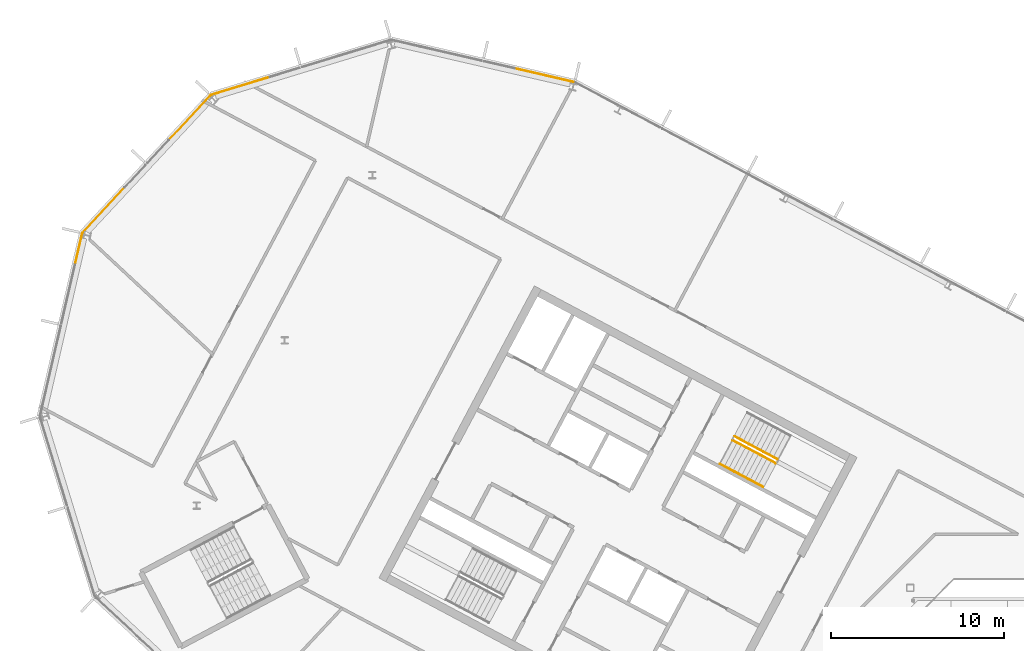
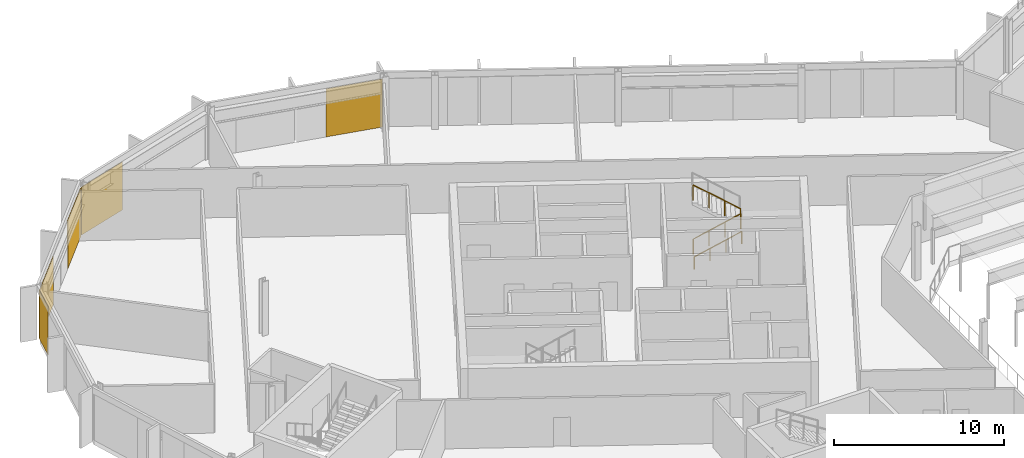
# One storey, part 32 of 35: 5 coverings, 3 railings, 4 elements without a shape of their own.
"""IFC4 building model written with IfcOpenShell, lengths in metres."""

from ifc_helpers import new_model, si_unit, direction, frame, origin, origin_2d, place, context, subcontext, project, spatial, polyline, rectangle, outline, extrude, material, layer, layer_set, type_object, element, aggregate, save


model = new_model("IFC4")

# Units and contexts
model_context = context("Model", 3, precision=1e-05, world=origin(), true_north=direction((0.0, 1.0)))
body_context = subcontext(model_context, "Body", "Model", "MODEL_VIEW")
ifc_project = project(units=[si_unit("LENGTHUNIT", "METRE"), si_unit("AREAUNIT", "SQUARE_METRE"), si_unit("VOLUMEUNIT", "CUBIC_METRE"), si_unit("PLANEANGLEUNIT", "RADIAN"), si_unit("MASSUNIT", "GRAM", prefix="KILO")], contexts=[model_context])

# Site, building, storey
site_placement = place(None, origin())
site = spatial("IfcSite", under=ifc_project, at=site_placement, CompositionType="ELEMENT")
building_placement = place(site_placement, origin())
building = spatial("IfcBuilding", under=site, at=building_placement, Name="Cormorant Relay Tower", CompositionType="ELEMENT")
storey_placement = place(building_placement, frame((0.0, 0.0, 324.300048828125)))
storey = spatial("IfcBuildingStorey", under=building, at=storey_placement, Name="L74", CompositionType="ELEMENT", Elevation=324.300048828125)

# Curtain wall, covering
ifc_material_1 = material(Name="Aluminium 6063-T6 anodised bronze", Category="aluminium")
ifc_layer_1 = layer(ifc_material_1, 0.199951171875)
ifc_layer_set_1 = layer_set([ifc_layer_1], Name="CW1 unitised bronze curtain wall with vertical fins")
curtain_wall_type = type_object("IfcCurtainWallType", Name="CW1 unitised bronze curtain wall with vertical fins", PredefinedType="NOTDEFINED", material=ifc_layer_set_1)
curtain_wall_1_placement = place(storey_placement, origin())
curtain_wall_1 = element("IfcCurtainWall", 1, at=curtain_wall_1_placement, inside=storey, type_object=curtain_wall_type, Name="CW1 curtain wall 10", PredefinedType="NOTDEFINED")
ifc_material_2 = material(Name="Pale bronze anodised aluminium insulated panel", Category="aluminium")
ifc_layer_2 = layer(ifc_material_2, 0.0400390625)
ifc_layer_set_2 = layer_set([ifc_layer_2], Name="CW1 pale bronze insulated panel 40")
covering_type = type_object("IfcCoveringType", Name="CW1 pale bronze insulated panel 40", PredefinedType="CLADDING", material=ifc_layer_set_2)
covering_1_placement = place(storey_placement, frame((-31.640380859375, 40.096435546875, 0.0), z_axis=(0.0, 0.0, 1.0), x_axis=(-0.974370064785, 0.224951054344, 0.0)))
covering_1 = element("IfcCovering", 2, at=covering_1_placement, type_object=covering_type, Name="CW1 panel S00", PredefinedType="CLADDING", context=body_context, shape_type="SweptSolid", body=[
    extrude(rectangle(XDim=3.485107421875, YDim=0.0400390625, at=origin_2d()), origin(), (0.0, 0.0, 1.0), 3.449951171875),
])
aggregate(curtain_wall_1, [covering_1])

curtain_wall_2_placement = place(storey_placement, origin())
curtain_wall_2 = element("IfcCurtainWall", 3, at=curtain_wall_2_placement, inside=storey, type_object=curtain_wall_type, Name="CW1 curtain wall 11", PredefinedType="NOTDEFINED")
covering_2_placement = place(storey_placement, frame((-49.16455078125, 39.474853515625, 0.0), z_axis=(0.0, 0.0, 1.0), x_axis=(-0.956304755963, -0.292371704723, 0.0)))
covering_2 = element("IfcCovering", 4, at=covering_2_placement, type_object=covering_type, Name="CW1 panel S02", PredefinedType="CLADDING", context=body_context, shape_type="SweptSolid", body=[
    extrude(rectangle(XDim=3.560302734375, YDim=0.0400390625, at=origin_2d()), origin(), (0.0, 0.0, 1.0), 3.449951171875),
])
aggregate(curtain_wall_2, [covering_2])

# Curtain wall, coverings
curtain_wall_3_placement = place(storey_placement, origin())
curtain_wall_3 = element("IfcCurtainWall", 5, at=curtain_wall_3_placement, inside=storey, type_object=curtain_wall_type, Name="CW1 curtain wall 12", PredefinedType="NOTDEFINED")
covering_3_placement = place(storey_placement, frame((-52.115234375, 37.61962890625, 0.0), z_axis=(0.0, 0.0, 1.0), x_axis=(-0.681998360062, -0.731353701619, 0.0)))
covering_3 = element("IfcCovering", 6, at=covering_3_placement, type_object=covering_type, Name="CW1 panel S00", PredefinedType="CLADDING", context=body_context, shape_type="SweptSolid", body=[
    extrude(rectangle(XDim=3.485107421875, YDim=0.0400390625, at=origin_2d()), origin(), (0.0, 0.0, 1.0), 3.449951171875),
])
covering_4_placement = place(storey_placement, frame((-57.0751953125, 32.300537109375, 0.0), z_axis=(0.0, 0.0, 1.0), x_axis=(-0.681998360062, -0.731353701619, 0.0)))
covering_4 = element("IfcCovering", 7, at=covering_4_placement, type_object=covering_type, Name="CW1 panel S03", PredefinedType="CLADDING", context=body_context, shape_type="SweptSolid", body=[
    extrude(rectangle(XDim=3.560302734375, YDim=0.0400390625, at=origin_2d()), origin(), (0.0, 0.0, 1.0), 3.449951171875),
])
aggregate(curtain_wall_3, [covering_3, covering_4])

# Curtain wall, covering
curtain_wall_4_placement = place(storey_placement, origin())
curtain_wall_4 = element("IfcCurtainWall", 8, at=curtain_wall_4_placement, inside=storey, type_object=curtain_wall_type, Name="CW1 curtain wall 13", PredefinedType="NOTDEFINED")
covering_5_placement = place(storey_placement, frame((-58.50048828125, 30.095458984375, 0.0), z_axis=(0.0, 0.0, 1.0), x_axis=(-0.224951054344, -0.974370064785, 0.0)))
covering_5 = element("IfcCovering", 9, at=covering_5_placement, type_object=covering_type, Name="CW1 panel S00", PredefinedType="CLADDING", context=body_context, shape_type="SweptSolid", body=[
    extrude(rectangle(XDim=1.685302734375, YDim=0.0400390625, at=origin_2d()), origin(), (0.0, 0.0, 1.0), 3.449951171875),
])
aggregate(curtain_wall_4, [covering_5])

# Railings
ifc_material_3 = material(Name="Steel ASTM A572 Grade 50 (Fy 345 MPa)", Category="steel")
railing_type_1 = type_object("IfcRailingType", Name="Stair guard 1100", PredefinedType="GUARDRAIL", material=ifc_material_3)
railing_1_placement = place(storey_placement, frame((-20.75048828125, 19.017822265625, 0.17724609375)))
element("IfcRailing", 10, at=railing_1_placement, inside=storey, type_object=railing_type_1, Name="L74 A1 stair guard 1", PredefinedType="GUARDRAIL", context=body_context, shape_type="SweptSolid", body=[
    extrude(outline(polyline([(0.022216796875, 0.00927734375), (0.00927734375, 0.022216796875), (-0.00927734375, 0.022216796875), (-0.022216796875, 0.00927734375), (-0.022216796875, -0.00927734375), (-0.00927734375, -0.022216796875), (0.00927734375, -0.022216796875), (0.022216796875, -0.00927734375), (0.022216796875, 0.00927734375)])), frame((0.0, 0.0, 1.076171875), z_axis=(0.746001213114, -0.396649272309, 0.534931345884), x_axis=(0.469465464807, 0.882950835185, 0.0)), (0.0, 0.0, 1.0), 3.31396484375),
    extrude(outline(polyline([(0.019287109375, 0.008056640625), (0.008056640625, 0.019287109375), (-0.008056640625, 0.019287109375), (-0.019287109375, 0.008056640625), (-0.019287109375, -0.008056640625), (-0.008056640625, -0.019287109375), (0.008056640625, -0.019287109375), (0.019287109375, -0.008056640625), (0.019287109375, 0.008056640625)])), origin(), (0.0, 0.0, 1.0), 1.052001953125),
    extrude(outline(polyline([(0.019287109375, 0.008056640625), (0.008056640625, 0.019287109375), (-0.008056640625, 0.019287109375), (-0.019287109375, 0.008056640625), (-0.019287109375, -0.008056640625), (-0.008056640625, -0.019287109375), (0.008056640625, -0.019287109375), (0.019287109375, -0.008056640625), (0.019287109375, 0.008056640625)])), frame((0.823974609375, -0.438232421875, 0.5908203125)), (0.0, 0.0, 1.0), 1.052001953125),
    extrude(outline(polyline([(0.019287109375, 0.008056640625), (0.008056640625, 0.019287109375), (-0.008056640625, 0.019287109375), (-0.019287109375, 0.008056640625), (-0.019287109375, -0.008056640625), (-0.008056640625, -0.019287109375), (0.008056640625, -0.019287109375), (0.019287109375, -0.008056640625), (0.019287109375, 0.008056640625)])), frame((1.648193359375, -0.876220703125, 1.181884765625)), (0.0, 0.0, 1.0), 1.052001953125),
    extrude(outline(polyline([(0.019287109375, 0.008056640625), (0.008056640625, 0.019287109375), (-0.008056640625, 0.019287109375), (-0.019287109375, 0.008056640625), (-0.019287109375, -0.008056640625), (-0.008056640625, -0.019287109375), (0.008056640625, -0.019287109375), (0.019287109375, -0.008056640625), (0.019287109375, 0.008056640625)])), frame((2.47216796875, -1.314453125, 1.772705078125)), (0.0, 0.0, 1.0), 1.052001953125),
])
railing_2_placement = place(storey_placement, frame((-18.160888671875, 17.924072265625, 2.127197265625)))
element("IfcRailing", 11, at=railing_2_placement, inside=storey, type_object=railing_type_1, Name="L74 A1 stair guard 3", PredefinedType="GUARDRAIL", context=body_context, shape_type="SweptSolid", body=[
    extrude(outline(polyline([(0.022216796875, 0.00927734375), (0.00927734375, 0.022216796875), (-0.00927734375, 0.022216796875), (-0.022216796875, 0.00927734375), (-0.022216796875, -0.00927734375), (-0.00927734375, -0.022216796875), (0.00927734375, -0.022216796875), (0.022216796875, -0.00927734375), (0.022216796875, 0.00927734375)])), frame((0.0, 0.0, 1.076171875), z_axis=(-0.746033882577, 0.396627473466, 0.534901947407), x_axis=(-0.469429322983, -0.882970050864, 0.0)), (0.0, 0.0, 1.0), 3.31396484375),
    extrude(outline(polyline([(0.019287109375, 0.008056640625), (0.008056640625, 0.019287109375), (-0.008056640625, 0.019287109375), (-0.019287109375, 0.008056640625), (-0.019287109375, -0.008056640625), (-0.008056640625, -0.019287109375), (0.008056640625, -0.019287109375), (0.019287109375, -0.008056640625), (0.019287109375, 0.008056640625)])), origin(), (0.0, 0.0, 1.0), 1.052001953125),
    extrude(outline(polyline([(0.019287109375, 0.008056640625), (0.008056640625, 0.019287109375), (-0.008056640625, 0.019287109375), (-0.019287109375, 0.008056640625), (-0.019287109375, -0.008056640625), (-0.008056640625, -0.019287109375), (0.008056640625, -0.019287109375), (0.019287109375, -0.008056640625), (0.019287109375, 0.008056640625)])), frame((-0.82421875, 0.438232421875, 0.5908203125)), (0.0, 0.0, 1.0), 1.052001953125),
    extrude(outline(polyline([(0.019287109375, 0.008056640625), (0.008056640625, 0.019287109375), (-0.008056640625, 0.019287109375), (-0.019287109375, 0.008056640625), (-0.019287109375, -0.008056640625), (-0.008056640625, -0.019287109375), (0.008056640625, -0.019287109375), (0.019287109375, -0.008056640625), (0.019287109375, 0.008056640625)])), frame((-1.648193359375, 0.876220703125, 1.181884765625)), (0.0, 0.0, 1.0), 1.052001953125),
    extrude(outline(polyline([(0.019287109375, 0.008056640625), (0.008056640625, 0.019287109375), (-0.008056640625, 0.019287109375), (-0.019287109375, 0.008056640625), (-0.019287109375, -0.008056640625), (-0.008056640625, -0.019287109375), (0.008056640625, -0.019287109375), (0.019287109375, -0.008056640625), (0.019287109375, 0.008056640625)])), frame((-2.472412109375, 1.314453125, 1.772705078125)), (0.0, 0.0, 1.0), 1.052001953125),
])
ifc_material_4 = material(Name="Steel ASTM A572 Grade 50 (Fy 345 MPa)", Category="steel")
railing_type_2 = type_object("IfcRailingType", Name="Stair handrail 900", PredefinedType="HANDRAIL", material=ifc_material_4)
railing_3_placement = place(storey_placement, frame((-21.478271484375, 17.6494140625, 0.17724609375)))
element("IfcRailing", 12, at=railing_3_placement, inside=storey, type_object=railing_type_2, Name="L74 A1 stair handrail 1", PredefinedType="HANDRAIL", context=body_context, shape_type="SweptSolid", body=[
    extrude(outline(polyline([(0.022216796875, 0.00927734375), (0.00927734375, 0.022216796875), (-0.00927734375, 0.022216796875), (-0.022216796875, 0.00927734375), (-0.022216796875, -0.00927734375), (-0.00927734375, -0.022216796875), (0.00927734375, -0.022216796875), (0.022216796875, -0.00927734375), (0.022216796875, 0.00927734375)])), frame((0.0, 0.0, 0.8759765625), z_axis=(0.746012083385, -0.396689549623, 0.534886317514), x_axis=(0.469497295046, 0.882933910293, 0.0)), (0.0, 0.0, 1.0), 3.314208984375),
    extrude(outline(polyline([(0.019287109375, 0.008056640625), (0.008056640625, 0.019287109375), (-0.008056640625, 0.019287109375), (-0.019287109375, 0.008056640625), (-0.019287109375, -0.008056640625), (-0.008056640625, -0.019287109375), (0.008056640625, -0.019287109375), (0.019287109375, -0.008056640625), (0.019287109375, 0.008056640625)])), origin(), (0.0, 0.0, 1.0), 0.851806640625),
    extrude(outline(polyline([(0.019287109375, 0.008056640625), (0.008056640625, 0.019287109375), (-0.008056640625, 0.019287109375), (-0.019287109375, 0.008056640625), (-0.019287109375, -0.008056640625), (-0.008056640625, -0.019287109375), (0.008056640625, -0.019287109375), (0.019287109375, -0.008056640625), (0.019287109375, 0.008056640625)])), frame((0.82421875, -0.438232421875, 0.5908203125)), (0.0, 0.0, 1.0), 0.851806640625),
    extrude(outline(polyline([(0.019287109375, 0.008056640625), (0.008056640625, 0.019287109375), (-0.008056640625, 0.019287109375), (-0.019287109375, 0.008056640625), (-0.019287109375, -0.008056640625), (-0.008056640625, -0.019287109375), (0.008056640625, -0.019287109375), (0.019287109375, -0.008056640625), (0.019287109375, 0.008056640625)])), frame((1.648193359375, -0.87646484375, 1.181884765625)), (0.0, 0.0, 1.0), 0.851806640625),
    extrude(outline(polyline([(0.019287109375, 0.008056640625), (0.008056640625, 0.019287109375), (-0.008056640625, 0.019287109375), (-0.019287109375, 0.008056640625), (-0.019287109375, -0.008056640625), (-0.008056640625, -0.019287109375), (0.008056640625, -0.019287109375), (0.019287109375, -0.008056640625), (0.019287109375, 0.008056640625)])), frame((2.472412109375, -1.314697265625, 1.772705078125)), (0.0, 0.0, 1.0), 0.851806640625),
])

save(model, "model.ifc")
